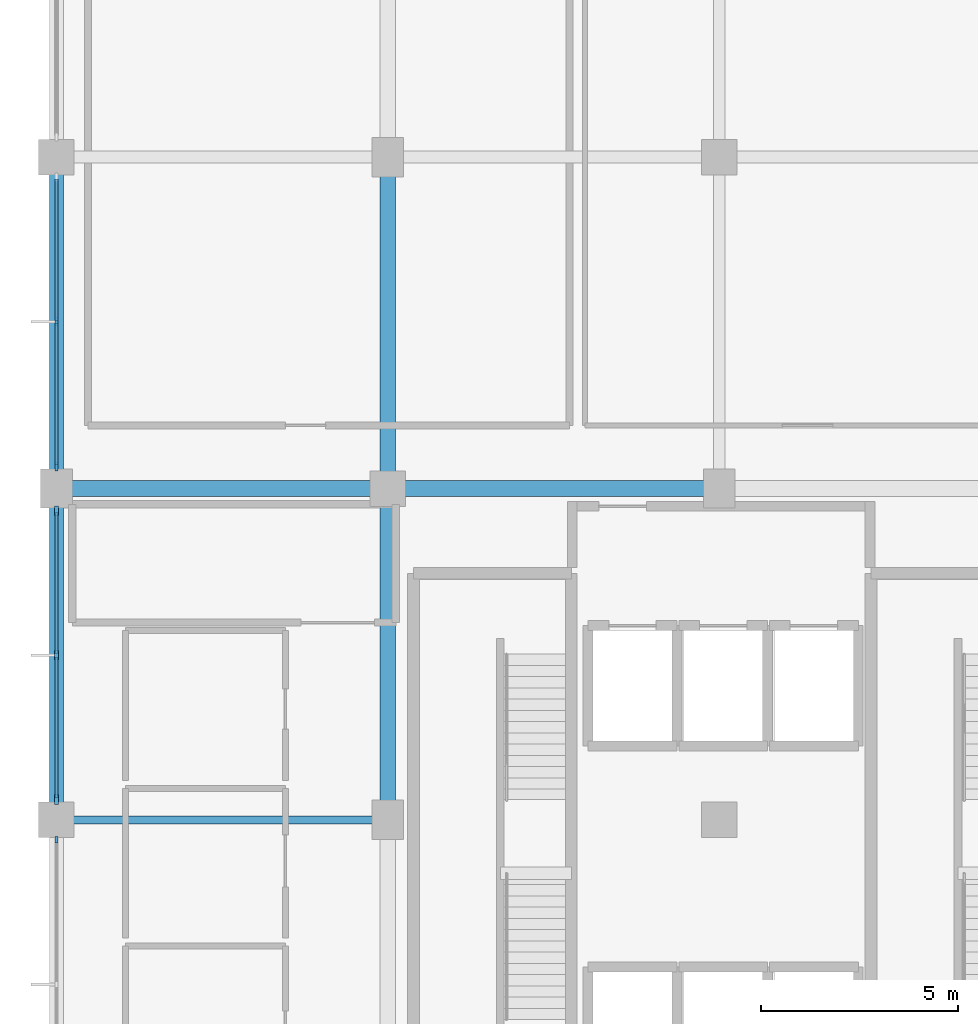
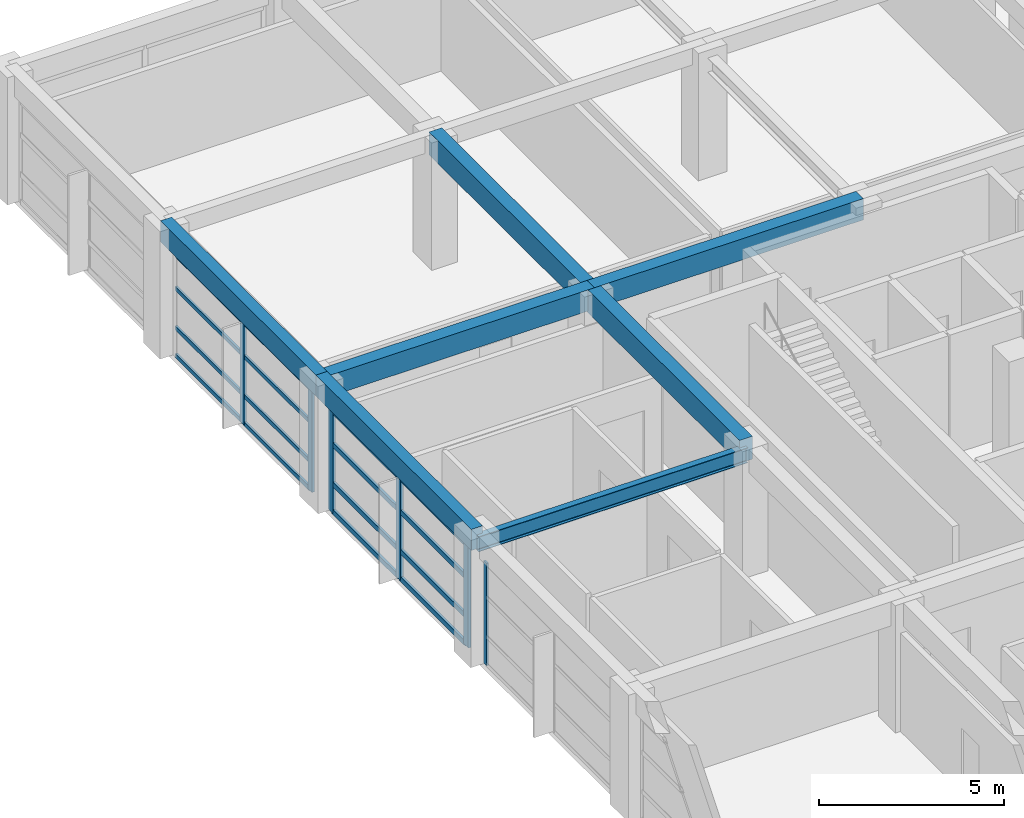
# One storey, part 4 of 12: 22 members, 7 beams, 3 elements without a shape of their own.
"""IFC4 building model written with IfcOpenShell, lengths in metres."""

from ifc_helpers import new_model, si_unit, direction, frame, origin, origin_2d, place, context, subcontext, project, spatial, rectangle, i_section, extrude, material, material_profile, profile_set, type_object, element, aggregate, save


model = new_model("IFC4")

# Units and contexts
model_context = context("Model", 3, precision=1e-05, world=origin(), true_north=direction((0.0, 1.0)))
body_context = subcontext(model_context, "Body", "Model", "MODEL_VIEW")
ifc_project = project(units=[si_unit("LENGTHUNIT", "METRE"), si_unit("AREAUNIT", "SQUARE_METRE"), si_unit("VOLUMEUNIT", "CUBIC_METRE"), si_unit("PLANEANGLEUNIT", "RADIAN"), si_unit("MASSUNIT", "GRAM", prefix="KILO")], contexts=[model_context])

# Site, building, storey
site_placement = place(None, origin())
site = spatial("IfcSite", under=ifc_project, at=site_placement, CompositionType="ELEMENT")
building_placement = place(site_placement, origin())
building = spatial("IfcBuilding", under=site, at=building_placement, Name="Xuanlan Plaza Opera House", CompositionType="ELEMENT")
storey_placement = place(building_placement, frame((0.0, 0.0, 61.5)))
storey = spatial("IfcBuildingStorey", under=building, at=storey_placement, Name="L14", CompositionType="ELEMENT", Elevation=61.5)

# Curtain wall, member
ifc_material_1 = material(Name="Anodised Aluminium 6063-T6 and Low-E Glass", Category="aluminium")
curtain_wall_type_1 = type_object("IfcCurtainWallType", Name="ENV-CW-CW-03", PredefinedType="USERDEFINED", material=ifc_material_1)
curtain_wall_1_placement = place(storey_placement, origin())
curtain_wall_1 = element("IfcCurtainWall", 1, at=curtain_wall_1_placement, inside=storey, type_object=curtain_wall_type_1, Name="Unitised Curtain Wall L14-015", ObjectType="UNITISED CURTAIN WALL", PredefinedType="USERDEFINED")
ifc_material_2 = material(Name="Anodised Aluminium 6063-T6", Category="aluminium")
ifc_material_profile_1 = material_profile(ifc_material_2, rectangle(XDim=0.06494140625, YDim=0.159912109375, at=origin_2d()), Name="ALU-M 65x160")
ifc_profile_set_1 = profile_set([ifc_material_profile_1], Name="Anodised Aluminium 6063-T6")
member_type_1 = type_object("IfcMemberType", Name="ENV-CWM-01", PredefinedType="MULLION", material=ifc_profile_set_1)
member_1_placement = place(storey_placement, frame((126.0, 58.297607421875, 0.0), z_axis=(0.0, 0.0, 1.0), x_axis=(1.0, 0.0, 0.0)))
member_1 = element("IfcMember", 2, at=member_1_placement, type_object=member_type_1, Name="CW-03 mullion 1", PredefinedType="MULLION", context=body_context, shape_type="SweptSolid", body=[
    extrude(rectangle(XDim=0.06494140625, YDim=0.159912109375, at=origin_2d()), origin(), (0.0, 0.0, 1.0), 3.3798828125),
])
aggregate(curtain_wall_1, [member_1])

# Curtain wall, members
curtain_wall_type_2 = type_object("IfcCurtainWallType", Name="ENV-CW-CW-01", PredefinedType="USERDEFINED", material=ifc_material_1)
curtain_wall_2_placement = place(storey_placement, origin())
curtain_wall_2 = element("IfcCurtainWall", 3, at=curtain_wall_2_placement, inside=storey, type_object=curtain_wall_type_2, Name="Unitised Curtain Wall L14-013", ObjectType="UNITISED CURTAIN WALL", PredefinedType="USERDEFINED")
ifc_material_profile_2 = material_profile(ifc_material_2, rectangle(XDim=0.080078125, YDim=0.219970703125, at=origin_2d()), Name="ALU-M 80x220")
ifc_profile_set_2 = profile_set([ifc_material_profile_2], Name="Anodised Aluminium 6063-T6")
member_type_2 = type_object("IfcMemberType", Name="ENV-CWM-04", PredefinedType="MULLION", material=ifc_profile_set_2)
member_2_placement = place(storey_placement, frame((126.0, 71.425048828125, 0.0), z_axis=(0.0, 0.0, 1.0), x_axis=(1.0, 0.0, 0.0)))
member_2 = element("IfcMember", 4, at=member_2_placement, type_object=member_type_2, Name="CW-01 mullion 2", PredefinedType="MULLION", context=body_context, shape_type="SweptSolid", body=[
    extrude(rectangle(XDim=0.080078125, YDim=0.219970703125, at=origin_2d()), origin(), (0.0, 0.0, 1.0), 3.3798828125),
])
member_3_placement = place(storey_placement, frame((126.0, 67.760009765625, 0.0), z_axis=(0.0, 0.0, 1.0), x_axis=(1.0, 0.0, 0.0)))
member_3 = element("IfcMember", 5, at=member_3_placement, type_object=member_type_2, Name="CW-01 mullion 3", PredefinedType="MULLION", context=body_context, shape_type="SweptSolid", body=[
    extrude(rectangle(XDim=0.080078125, YDim=0.219970703125, at=origin_2d()), origin(), (0.0, 0.0, 1.0), 3.3798828125),
])

curtain_wall_type_3 = type_object("IfcCurtainWallType", Name="ENV-CW-CW-02", PredefinedType="USERDEFINED", material=ifc_material_1)
curtain_wall_3_placement = place(storey_placement, origin())
curtain_wall_3 = element("IfcCurtainWall", 6, at=curtain_wall_3_placement, inside=storey, type_object=curtain_wall_type_3, Name="Unitised Curtain Wall L14-014", ObjectType="UNITISED CURTAIN WALL", PredefinedType="USERDEFINED")
ifc_material_profile_3 = material_profile(ifc_material_2, rectangle(XDim=0.090087890625, YDim=0.25, at=origin_2d()), Name="ALU-M 90x250")
ifc_profile_set_3 = profile_set([ifc_material_profile_3], Name="Anodised Aluminium 6063-T6")
member_type_3 = type_object("IfcMemberType", Name="ENV-CWM-05", PredefinedType="MULLION", material=ifc_profile_set_3)
member_4_placement = place(storey_placement, frame((126.0, 66.635009765625, 0.0), z_axis=(0.0, 0.0, 1.0), x_axis=(1.0, 0.0, 0.0)))
member_4 = element("IfcMember", 7, at=member_4_placement, type_object=member_type_3, Name="CW-02 mullion 1", PredefinedType="MULLION", context=body_context, shape_type="SweptSolid", body=[
    extrude(rectangle(XDim=0.090087890625, YDim=0.25, at=origin_2d()), origin(), (0.0, 0.0, 1.0), 3.3798828125),
])
member_5_placement = place(storey_placement, frame((126.0, 62.97509765625, 0.0), z_axis=(0.0, 0.0, 1.0), x_axis=(1.0, 0.0, 0.0)))
member_5 = element("IfcMember", 8, at=member_5_placement, type_object=member_type_3, Name="CW-02 mullion 2", PredefinedType="MULLION", context=body_context, shape_type="SweptSolid", body=[
    extrude(rectangle(XDim=0.090087890625, YDim=0.25, at=origin_2d()), origin(), (0.0, 0.0, 1.0), 3.3798828125),
])
member_6_placement = place(storey_placement, frame((126.0, 59.31494140625, 0.0), z_axis=(0.0, 0.0, 1.0), x_axis=(1.0, 0.0, 0.0)))
member_6 = element("IfcMember", 9, at=member_6_placement, type_object=member_type_3, Name="CW-02 mullion 3", PredefinedType="MULLION", context=body_context, shape_type="SweptSolid", body=[
    extrude(rectangle(XDim=0.090087890625, YDim=0.25, at=origin_2d()), origin(), (0.0, 0.0, 1.0), 3.3798828125),
])

# Member
ifc_material_profile_4 = material_profile(ifc_material_2, rectangle(XDim=0.070068359375, YDim=0.135009765625, at=origin_2d()), Name="ALU-T 70x135")
ifc_profile_set_4 = profile_set([ifc_material_profile_4], Name="Anodised Aluminium 6063-T6")
member_type_4 = type_object("IfcMemberType", Name="ENV-CWT-02", PredefinedType="USERDEFINED", material=ifc_profile_set_4)
member_7_placement = place(storey_placement, frame((126.0, 75.050048828125, 0.034912109375), z_axis=(0.0, -1.0, 0.0), x_axis=(1.0, 0.0, 0.0)))
member_7 = element("IfcMember", 10, at=member_7_placement, type_object=member_type_4, Name="CW-01 transom 1.1", ObjectType="TRANSOM", PredefinedType="USERDEFINED", context=body_context, shape_type="SweptSolid", body=[
    extrude(rectangle(XDim=0.070068359375, YDim=0.135009765625, at=origin_2d()), origin(), (0.0, 0.0, 1.0), 3.5849609375),
])

member_8_placement = place(storey_placement, frame((126.0, 75.050048828125, 0.949951171875), z_axis=(0.0, -1.0, 0.0), x_axis=(1.0, 0.0, 0.0)))
member_8 = element("IfcMember", 11, at=member_8_placement, type_object=member_type_4, Name="CW-01 transom 1.2", ObjectType="TRANSOM", PredefinedType="USERDEFINED", context=body_context, shape_type="SweptSolid", body=[
    extrude(rectangle(XDim=0.070068359375, YDim=0.135009765625, at=origin_2d()), origin(), (0.0, 0.0, 1.0), 3.5849609375),
])

member_9_placement = place(storey_placement, frame((126.0, 75.050048828125, 2.25), z_axis=(0.0, -1.0, 0.0), x_axis=(1.0, 0.0, 0.0)))
member_9 = element("IfcMember", 12, at=member_9_placement, type_object=member_type_4, Name="CW-01 transom 1.3", ObjectType="TRANSOM", PredefinedType="USERDEFINED", context=body_context, shape_type="SweptSolid", body=[
    extrude(rectangle(XDim=0.070068359375, YDim=0.135009765625, at=origin_2d()), origin(), (0.0, 0.0, 1.0), 3.5849609375),
])

member_10_placement = place(storey_placement, frame((126.0, 75.050048828125, 3.344970703125), z_axis=(0.0, -1.0, 0.0), x_axis=(1.0, 0.0, 0.0)))
member_10 = element("IfcMember", 13, at=member_10_placement, type_object=member_type_4, Name="CW-01 transom 1.4", ObjectType="TRANSOM", PredefinedType="USERDEFINED", context=body_context, shape_type="SweptSolid", body=[
    extrude(rectangle(XDim=0.070068359375, YDim=0.135009765625, at=origin_2d()), origin(), (0.0, 0.0, 1.0), 3.5849609375),
])

member_11_placement = place(storey_placement, frame((126.0, 71.385009765625, 0.034912109375), z_axis=(0.0, -1.0, 0.0), x_axis=(1.0, 0.0, 0.0)))
member_11 = element("IfcMember", 14, at=member_11_placement, type_object=member_type_4, Name="CW-01 transom 2.1", ObjectType="TRANSOM", PredefinedType="USERDEFINED", context=body_context, shape_type="SweptSolid", body=[
    extrude(rectangle(XDim=0.070068359375, YDim=0.135009765625, at=origin_2d()), origin(), (0.0, 0.0, 1.0), 3.5849609375),
])

member_12_placement = place(storey_placement, frame((126.0, 71.385009765625, 0.949951171875), z_axis=(0.0, -1.0, 0.0), x_axis=(1.0, 0.0, 0.0)))
member_12 = element("IfcMember", 15, at=member_12_placement, type_object=member_type_4, Name="CW-01 transom 2.2", ObjectType="TRANSOM", PredefinedType="USERDEFINED", context=body_context, shape_type="SweptSolid", body=[
    extrude(rectangle(XDim=0.070068359375, YDim=0.135009765625, at=origin_2d()), origin(), (0.0, 0.0, 1.0), 3.5849609375),
])

member_13_placement = place(storey_placement, frame((126.0, 71.385009765625, 2.25), z_axis=(0.0, -1.0, 0.0), x_axis=(1.0, 0.0, 0.0)))
member_13 = element("IfcMember", 16, at=member_13_placement, type_object=member_type_4, Name="CW-01 transom 2.3", ObjectType="TRANSOM", PredefinedType="USERDEFINED", context=body_context, shape_type="SweptSolid", body=[
    extrude(rectangle(XDim=0.070068359375, YDim=0.135009765625, at=origin_2d()), origin(), (0.0, 0.0, 1.0), 3.5849609375),
])

member_14_placement = place(storey_placement, frame((126.0, 71.385009765625, 3.344970703125), z_axis=(0.0, -1.0, 0.0), x_axis=(1.0, 0.0, 0.0)))
member_14 = element("IfcMember", 17, at=member_14_placement, type_object=member_type_4, Name="CW-01 transom 2.4", ObjectType="TRANSOM", PredefinedType="USERDEFINED", context=body_context, shape_type="SweptSolid", body=[
    extrude(rectangle(XDim=0.070068359375, YDim=0.135009765625, at=origin_2d()), origin(), (0.0, 0.0, 1.0), 3.5849609375),
])

aggregate(curtain_wall_2, [member_2, member_3, member_7, member_8, member_9, member_10, member_11, member_12, member_13, member_14])

ifc_material_profile_5 = material_profile(ifc_material_2, rectangle(XDim=0.080078125, YDim=0.1650390625, at=origin_2d()), Name="ALU-T 80x165")
ifc_profile_set_5 = profile_set([ifc_material_profile_5], Name="Anodised Aluminium 6063-T6")
member_type_5 = type_object("IfcMemberType", Name="ENV-CWT-04", PredefinedType="USERDEFINED", material=ifc_profile_set_5)
member_15_placement = place(storey_placement, frame((126.0, 66.590087890625, 0.0400390625), z_axis=(0.0, -1.0, 0.0), x_axis=(1.0, 0.0, 0.0)))
member_15 = element("IfcMember", 18, at=member_15_placement, type_object=member_type_5, Name="CW-02 transom 1.1", ObjectType="TRANSOM", PredefinedType="USERDEFINED", context=body_context, shape_type="SweptSolid", body=[
    extrude(rectangle(XDim=0.080078125, YDim=0.1650390625, at=origin_2d()), origin(), (0.0, 0.0, 1.0), 3.570068359375),
])

member_16_placement = place(storey_placement, frame((126.0, 66.590087890625, 0.949951171875), z_axis=(0.0, -1.0, 0.0), x_axis=(1.0, 0.0, 0.0)))
member_16 = element("IfcMember", 19, at=member_16_placement, type_object=member_type_5, Name="CW-02 transom 1.2", ObjectType="TRANSOM", PredefinedType="USERDEFINED", context=body_context, shape_type="SweptSolid", body=[
    extrude(rectangle(XDim=0.080078125, YDim=0.1650390625, at=origin_2d()), origin(), (0.0, 0.0, 1.0), 3.570068359375),
])

member_17_placement = place(storey_placement, frame((126.0, 66.590087890625, 2.25), z_axis=(0.0, -1.0, 0.0), x_axis=(1.0, 0.0, 0.0)))
member_17 = element("IfcMember", 20, at=member_17_placement, type_object=member_type_5, Name="CW-02 transom 1.3", ObjectType="TRANSOM", PredefinedType="USERDEFINED", context=body_context, shape_type="SweptSolid", body=[
    extrude(rectangle(XDim=0.080078125, YDim=0.1650390625, at=origin_2d()), origin(), (0.0, 0.0, 1.0), 3.570068359375),
])

member_18_placement = place(storey_placement, frame((126.0, 66.590087890625, 3.340087890625), z_axis=(0.0, -1.0, 0.0), x_axis=(1.0, 0.0, 0.0)))
member_18 = element("IfcMember", 21, at=member_18_placement, type_object=member_type_5, Name="CW-02 transom 1.4", ObjectType="TRANSOM", PredefinedType="USERDEFINED", context=body_context, shape_type="SweptSolid", body=[
    extrude(rectangle(XDim=0.080078125, YDim=0.1650390625, at=origin_2d()), origin(), (0.0, 0.0, 1.0), 3.570068359375),
])

member_19_placement = place(storey_placement, frame((126.0, 62.929931640625, 0.0400390625), z_axis=(0.0, -1.0, 0.0), x_axis=(1.0, 0.0, 0.0)))
member_19 = element("IfcMember", 22, at=member_19_placement, type_object=member_type_5, Name="CW-02 transom 2.1", ObjectType="TRANSOM", PredefinedType="USERDEFINED", context=body_context, shape_type="SweptSolid", body=[
    extrude(rectangle(XDim=0.080078125, YDim=0.1650390625, at=origin_2d()), origin(), (0.0, 0.0, 1.0), 3.56982421875),
])

member_20_placement = place(storey_placement, frame((126.0, 62.929931640625, 0.949951171875), z_axis=(0.0, -1.0, 0.0), x_axis=(1.0, 0.0, 0.0)))
member_20 = element("IfcMember", 23, at=member_20_placement, type_object=member_type_5, Name="CW-02 transom 2.2", ObjectType="TRANSOM", PredefinedType="USERDEFINED", context=body_context, shape_type="SweptSolid", body=[
    extrude(rectangle(XDim=0.080078125, YDim=0.1650390625, at=origin_2d()), origin(), (0.0, 0.0, 1.0), 3.56982421875),
])

member_21_placement = place(storey_placement, frame((126.0, 62.929931640625, 2.25), z_axis=(0.0, -1.0, 0.0), x_axis=(1.0, 0.0, 0.0)))
member_21 = element("IfcMember", 24, at=member_21_placement, type_object=member_type_5, Name="CW-02 transom 2.3", ObjectType="TRANSOM", PredefinedType="USERDEFINED", context=body_context, shape_type="SweptSolid", body=[
    extrude(rectangle(XDim=0.080078125, YDim=0.1650390625, at=origin_2d()), origin(), (0.0, 0.0, 1.0), 3.56982421875),
])

member_22_placement = place(storey_placement, frame((126.0, 62.929931640625, 3.340087890625), z_axis=(0.0, -1.0, 0.0), x_axis=(1.0, 0.0, 0.0)))
member_22 = element("IfcMember", 25, at=member_22_placement, type_object=member_type_5, Name="CW-02 transom 2.4", ObjectType="TRANSOM", PredefinedType="USERDEFINED", context=body_context, shape_type="SweptSolid", body=[
    extrude(rectangle(XDim=0.080078125, YDim=0.1650390625, at=origin_2d()), origin(), (0.0, 0.0, 1.0), 3.56982421875),
])

aggregate(curtain_wall_3, [member_4, member_5, member_6, member_15, member_16, member_17, member_18, member_19, member_20, member_21, member_22])

# Beams
ifc_material_3 = material(Name="Concrete C40", Category="concrete")
ifc_material_profile_6 = material_profile(ifc_material_3, rectangle(XDim=0.39990234375, YDim=0.75, at=origin_2d()), Name="RC-BM 400x750")
ifc_profile_set_6 = profile_set([ifc_material_profile_6], Name="Concrete C40")
beam_type_1 = type_object("IfcBeamType", Name="STR-BM-B-06", PredefinedType="BEAM", material=ifc_profile_set_6)
beam_1_placement = place(storey_placement, frame((134.39990234375, 58.800048828125, 3.824951171875), z_axis=(0.0, 1.0, 0.0), x_axis=(-1.0, 0.0, 0.0)))
element("IfcBeam", 26, at=beam_1_placement, inside=storey, type_object=beam_type_1, Name="Grid Beam Y L14 17/H-I", PredefinedType="BEAM", context=body_context, shape_type="SweptSolid", body=[
    extrude(rectangle(XDim=0.39990234375, YDim=0.75, at=origin_2d()), origin(), (0.0, 0.0, 1.0), 8.39990234375),
])
beam_2_placement = place(storey_placement, frame((134.39990234375, 67.199951171875, 3.824951171875), z_axis=(0.0, 1.0, 0.0), x_axis=(-1.0, 0.0, 0.0)))
element("IfcBeam", 27, at=beam_2_placement, inside=storey, type_object=beam_type_1, Name="Grid Beam Y L14 17/I-J", PredefinedType="BEAM", context=body_context, shape_type="SweptSolid", body=[
    extrude(rectangle(XDim=0.39990234375, YDim=0.75, at=origin_2d()), origin(), (0.0, 0.0, 1.0), 8.400146484375),
])
ifc_material_profile_7 = material_profile(ifc_material_3, rectangle(XDim=0.39990234375, YDim=0.699951171875, at=origin_2d()), Name="RC-BM 400x700")
ifc_profile_set_7 = profile_set([ifc_material_profile_7], Name="Concrete C40")
beam_type_2 = type_object("IfcBeamType", Name="STR-BM-B-07", PredefinedType="BEAM", material=ifc_profile_set_7)
beam_3_placement = place(storey_placement, frame((126.0, 67.199951171875, 3.85009765625), z_axis=(1.0, 0.0, 0.0), x_axis=(0.0, 1.0, 0.0)))
element("IfcBeam", 28, at=beam_3_placement, inside=storey, type_object=beam_type_2, Name="Grid Beam X L14 16-17/I", PredefinedType="BEAM", context=body_context, shape_type="SweptSolid", body=[
    extrude(rectangle(XDim=0.39990234375, YDim=0.699951171875, at=origin_2d()), origin(), (0.0, 0.0, 1.0), 8.39990234375),
])
beam_4_placement = place(storey_placement, frame((134.39990234375, 67.199951171875, 3.85009765625), z_axis=(1.0, 0.0, 0.0), x_axis=(0.0, 1.0, 0.0)))
element("IfcBeam", 29, at=beam_4_placement, inside=storey, type_object=beam_type_2, Name="Grid Beam X L14 17-18/I", PredefinedType="BEAM", context=body_context, shape_type="SweptSolid", body=[
    extrude(rectangle(XDim=0.39990234375, YDim=0.699951171875, at=origin_2d()), origin(), (0.0, 0.0, 1.0), 8.400146484375),
])
ifc_material_4 = material(Name="Steel Q355B", Category="steel")
ifc_material_profile_8 = material_profile(ifc_material_4, i_section(OverallWidth=0.199951171875, OverallDepth=0.5, WebThickness=0.010009765625, FlangeThickness=0.01611328125, FilletRadius=0.02001953125, at=origin_2d()), Name="HN 500x200x10x16")
ifc_profile_set_8 = profile_set([ifc_material_profile_8], Name="Steel Q355B")
beam_type_3 = type_object("IfcBeamType", Name="STR-BM-SB-05", PredefinedType="BEAM", material=ifc_profile_set_8)
beam_5_placement = place(storey_placement, frame((126.0, 58.800048828125, 3.705078125), z_axis=(1.0, 0.0, 0.0), x_axis=(0.0, 1.0, 0.0)))
element("IfcBeam", 30, at=beam_5_placement, inside=storey, type_object=beam_type_3, Name="Grid Beam X L14 16-17/H", PredefinedType="BEAM", context=body_context, shape_type="SweptSolid", body=[
    extrude(i_section(OverallWidth=0.199951171875, OverallDepth=0.5, WebThickness=0.010009765625, FlangeThickness=0.01611328125, FilletRadius=0.02001953125, at=origin_2d()), origin(), (0.0, 0.0, 1.0), 8.39990234375),
])
ifc_material_profile_9 = material_profile(ifc_material_3, rectangle(XDim=0.35009765625, YDim=0.699951171875, at=origin_2d()), Name="RC-SPD 350x700")
ifc_profile_set_9 = profile_set([ifc_material_profile_9], Name="Concrete C40")
beam_type_4 = type_object("IfcBeamType", Name="STR-BM-SP-02", PredefinedType="SPANDREL", material=ifc_profile_set_9)
beam_6_placement = place(storey_placement, frame((126.0, 58.800048828125, 3.85009765625), z_axis=(0.0, 1.0, 0.0), x_axis=(-1.0, 0.0, 0.0)))
element("IfcBeam", 31, at=beam_6_placement, inside=storey, type_object=beam_type_4, Name="Grid Beam Y L14 16/H-I", PredefinedType="SPANDREL", context=body_context, shape_type="SweptSolid", body=[
    extrude(rectangle(XDim=0.35009765625, YDim=0.699951171875, at=origin_2d()), origin(), (0.0, 0.0, 1.0), 8.39990234375),
])
beam_7_placement = place(storey_placement, frame((126.0, 67.199951171875, 3.85009765625), z_axis=(0.0, 1.0, 0.0), x_axis=(-1.0, 0.0, 0.0)))
element("IfcBeam", 32, at=beam_7_placement, inside=storey, type_object=beam_type_4, Name="Grid Beam Y L14 16/I-J", PredefinedType="SPANDREL", context=body_context, shape_type="SweptSolid", body=[
    extrude(rectangle(XDim=0.35009765625, YDim=0.699951171875, at=origin_2d()), origin(), (0.0, 0.0, 1.0), 8.400146484375),
])

save(model, "model.ifc")
